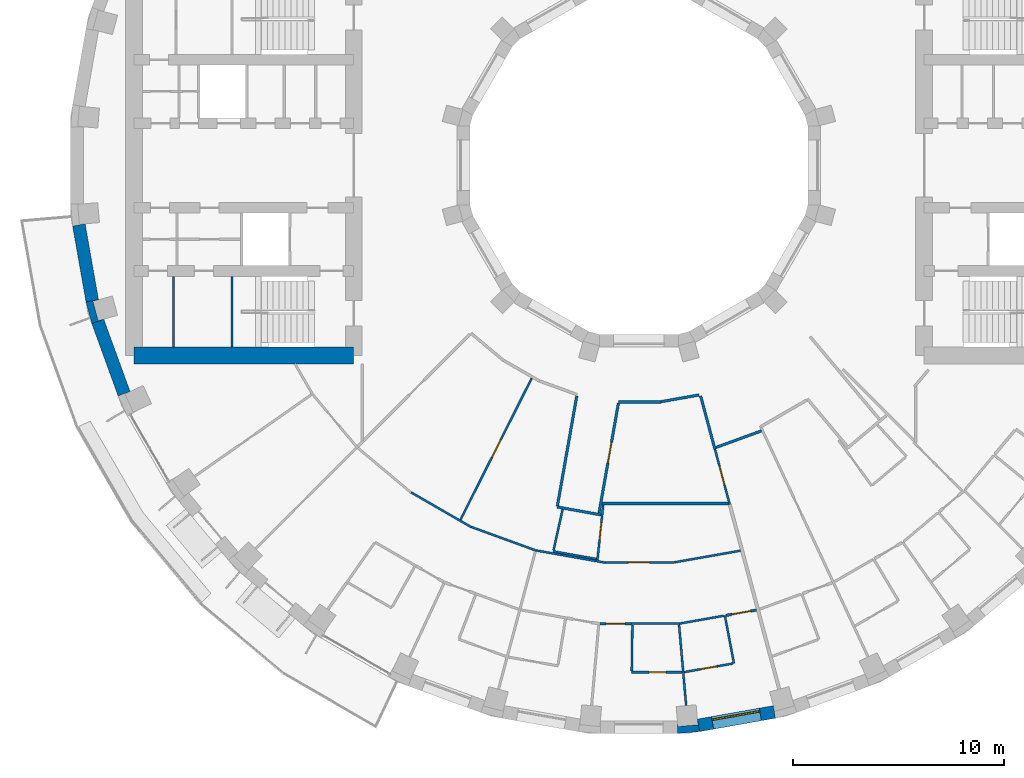
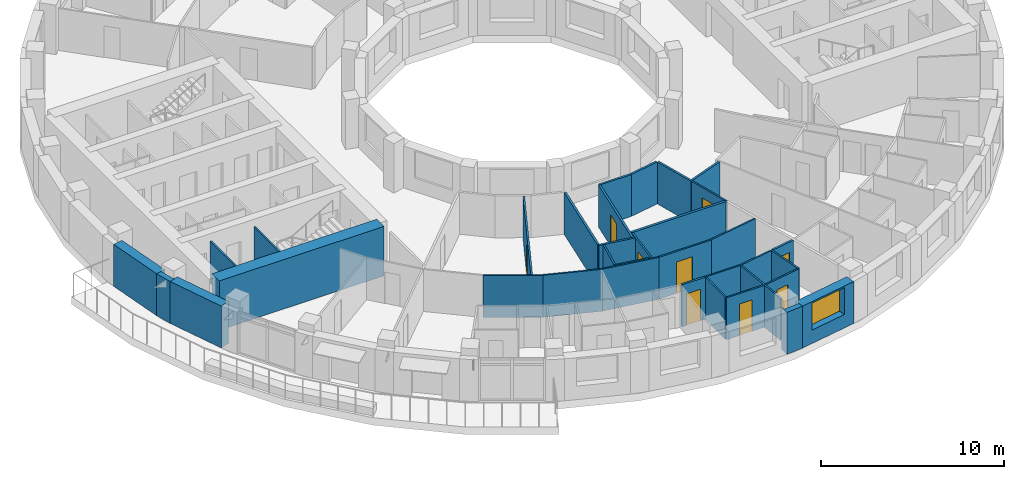
# One storey, part 5 of 16: 35 walls, 9 doors, 1 window, 10 openings.
"""IFC4 building model written with IfcOpenShell, lengths in metres."""

from ifc_helpers import new_model, si_unit, direction, frame, frame_2d, origin, place, context, subcontext, project, spatial, polyline, rectangle, outline, extrude, material, layer, layer_set, type_object, element, fill, save


model = new_model("IFC4")

# Units and contexts
model_context = context("Model", 3, precision=1e-05, world=origin(), true_north=direction((0.0, 1.0)))
body_context = subcontext(model_context, "Body", "Model", "MODEL_VIEW")
ifc_project = project(units=[si_unit("LENGTHUNIT", "METRE"), si_unit("AREAUNIT", "SQUARE_METRE"), si_unit("VOLUMEUNIT", "CUBIC_METRE"), si_unit("PLANEANGLEUNIT", "RADIAN"), si_unit("MASSUNIT", "GRAM", prefix="KILO")], contexts=[model_context])

# Site, building, storey
site_placement = place(None, origin())
site = spatial("IfcSite", under=ifc_project, at=site_placement, CompositionType="ELEMENT")
building_placement = place(site_placement, origin())
building = spatial("IfcBuilding", under=site, at=building_placement, Name="Saqina Gate Tower", CompositionType="ELEMENT")
storey_placement = place(building_placement, frame((0.0, 0.0, 124.89990234375)))
storey = spatial("IfcBuildingStorey", under=building, at=storey_placement, Name="L35", CompositionType="ELEMENT", Elevation=124.89990234375)

# Walls
ifc_material_1 = material(Name="Brick masonry (buff)", Category="masonry")
wall_type_1 = type_object("IfcWallType", Name="BRICK PIER COPING BUFF", PredefinedType="SOLIDWALL", material=ifc_material_1)
wall_1_placement = place(storey_placement, origin())
element("IfcWall", 1, at=wall_1_placement, inside=storey, type_object=wall_type_1, Name="Pier cap L35 column 20", PredefinedType="SOLIDWALL", context=body_context, shape_type="SweptSolid", body=[
    extrude(outline(polyline([(-26.171875, -6.466796875), (-25.89892578125, -7.485595703125), (-25.335205078125, -7.2802734375), (-25.5947265625, -7.349853515625), (-25.8408203125, -6.43212890625), (-25.5810546875, -6.36279296875), (-26.171875, -6.466796875)])), origin(), (0.0, 0.0, 1.0), 2.800048828125),
])
wall_2_placement = place(storey_placement, origin())
element("IfcWall", 2, at=wall_2_placement, inside=storey, type_object=wall_type_1, Name="Pier cap L35 column 28", PredefinedType="SOLIDWALL", context=body_context, shape_type="SweptSolid", body=[
    extrude(outline(polyline([(2.87451171875, -26.805419921875), (2.770263671875, -26.214599609375), (2.793701171875, -26.482421875), (1.847412109375, -26.565185546875), (1.823974609375, -26.29736328125), (1.823974609375, -26.897216796875), (2.87451171875, -26.805419921875)])), origin(), (0.0, 0.0, 1.0), 2.800048828125),
])
ifc_material_2 = material(Name="Gypsum board on steel studs", Category="steel")
ifc_layer_1 = layer(ifc_material_2, 0.10009765625)
ifc_layer_set_1 = layer_set([ifc_layer_1], Name="CORE PARTITION")
wall_type_2 = type_object("IfcWallType", Name="CORE PARTITION", PredefinedType="PARTITIONING", material=ifc_layer_set_1)
wall_3_placement = place(storey_placement, frame((-22.037109375, -8.60009765625, 0.0), z_axis=(0.0, 0.0, 1.0), x_axis=(0.0, 1.0, 0.0)))
element("IfcWall", 3, at=wall_3_placement, inside=storey, type_object=wall_type_2, Name="L35-CP-W16", PredefinedType="PARTITIONING", context=body_context, shape_type="SweptSolid", body=[
    extrude(rectangle(XDim=3.35009765625, YDim=0.10009765625, at=frame_2d((1.675048828125, 0.0))), origin(), (0.0, 0.0, 1.0), 2.800048828125),
])

# Wall, opening, window
ifc_material_3 = material(Name="Brick masonry (buff)", Category="masonry")
ifc_layer_2 = layer(ifc_material_3, 0.60009765625)
ifc_layer_set_2 = layer_set([ifc_layer_2], Name="FW-BRICK-BUFF")
wall_type_3 = type_object("IfcWallType", Name="FW-BRICK-BUFF", PredefinedType="SOLIDWALL", material=ifc_layer_set_2)
wall_4_placement = place(storey_placement, frame((2.822265625, -26.510009765625, 0.0), z_axis=(0.0, 0.0, 1.0), x_axis=(0.984803764455, 0.173670796382, 0.0)))
wall_4 = element("IfcWall", 4, at=wall_4_placement, inside=storey, type_object=wall_type_3, Name="Facade wall L35 facet 28", PredefinedType="SOLIDWALL", context=body_context, shape_type="SweptSolid", body=[
    extrude(rectangle(XDim=3.64794921875, YDim=0.60009765625, at=frame_2d((1.823974609375, 0.0))), origin(), (0.0, 0.0, 1.0), 2.800048828125),
])
opening_1_placement = place(wall_4_placement, frame((0.673828125, 0.0, 0.89990234375)))
opening_1 = element("IfcOpeningElement", 5, at=opening_1_placement, cuts=wall_4, Name="Opening G10-W17", PredefinedType="OPENING", context=body_context, shape_type="SweptSolid", body=[
    extrude(rectangle(XDim=2.300048828125, YDim=1.800048828125, at=frame_2d((1.14990234375, 0.89990234375))), frame((0.0, 0.31201171875, 0.0), z_axis=(0.0, -1.0, 0.0), x_axis=(1.0, 0.0, 0.0)), (0.0, 0.0, 1.0), 0.6240234375),
])
ifc_material_4 = material(Name="Aluminium glazing", Category="aluminium")
window_type = type_object("IfcWindowType", Name="WN-B", PartitioningType="SINGLE_PANEL", PredefinedType="WINDOW", material=ifc_material_4)
window_placement = place(opening_1_placement, origin())
window = element("IfcWindow", 6, at=window_placement, inside=storey, type_object=window_type, Name="Window L35 facet 28", OverallHeight=1.800048828125, OverallWidth=2.300048828125, PartitioningType="SINGLE_PANEL", PredefinedType="WINDOW", context=body_context, shape_type="SweptSolid", body=[
    extrude(rectangle(XDim=2.300048828125, YDim=1.800048828125, at=frame_2d((1.14990234375, 0.89990234375))), frame((0.0, 0.179931640625, 0.0), z_axis=(0.0, -1.0, 0.0), x_axis=(1.0, 0.0, 0.0)), (0.0, 0.0, 1.0), 0.06005859375),
])
fill(opening_1, window)

# Walls
ifc_material_5 = material(Name="Glazed ceramic tile", Category="ceramic")
ifc_layer_3 = layer(ifc_material_5, 0.60009765625)
ifc_layer_set_3 = layer_set([ifc_layer_3], Name="FW-TILE")
wall_type_4 = type_object("IfcWallType", Name="FW-TILE", PredefinedType="SOLIDWALL", material=ifc_layer_set_3)
wall_5_placement = place(storey_placement, frame((-25.616943359375, -7.3828125, 0.0), z_axis=(0.0, 0.0, 1.0), x_axis=(0.341990236633, -0.939703505393, 0.0)))
element("IfcWall", 7, at=wall_5_placement, inside=storey, type_object=wall_type_4, Name="Facade wall L35 facet 20", PredefinedType="SOLIDWALL", context=body_context, shape_type="SweptSolid", body=[
    extrude(rectangle(XDim=3.64794921875, YDim=0.60009765625, at=frame_2d((1.823974609375, 0.0))), origin(), (0.0, 0.0, 1.0), 2.800048828125),
])
ifc_material_6 = material(Name="Glazed ceramic tile (dark blue)", Category="ceramic")
ifc_layer_4 = layer(ifc_material_6, 0.60009765625)
ifc_layer_set_4 = layer_set([ifc_layer_4], Name="FW-TILE-CB")
wall_type_5 = type_object("IfcWallType", Name="FW-TILE-CB", PredefinedType="SOLIDWALL", material=ifc_layer_set_4)
wall_6_placement = place(storey_placement, frame((-26.510009765625, -2.822265625, 0.0), z_axis=(0.0, 0.0, 1.0), x_axis=(0.173670796382, -0.984803764455, 0.0)))
element("IfcWall", 8, at=wall_6_placement, inside=storey, type_object=wall_type_5, Name="Facade wall L35 facet 19", PredefinedType="SOLIDWALL", context=body_context, shape_type="SweptSolid", body=[
    extrude(rectangle(XDim=3.64794921875, YDim=0.60009765625, at=frame_2d((1.823974609375, 0.0))), origin(), (0.0, 0.0, 1.0), 2.800048828125),
])
ifc_material_7 = material(Name="Gypsum board on steel studs, 100 mm", Category="steel")
ifc_layer_5 = layer(ifc_material_7, 0.10009765625)
ifc_layer_set_5 = layer_set([ifc_layer_5], Name="PARTITION 100")
wall_type_6 = type_object("IfcWallType", Name="PARTITION 100", PredefinedType="PARTITIONING", material=ifc_layer_set_5)
wall_7_placement = place(storey_placement, frame((1.9013671875, -21.746826171875, 0.0), z_axis=(0.0, 0.0, 1.0), x_axis=(0.087464650473, -0.996167623906, 0.0)))
element("IfcWall", 9, at=wall_7_placement, inside=storey, type_object=wall_type_6, Name="PARTITION PW3-02", PredefinedType="PARTITIONING", context=body_context, shape_type="SweptSolid", body=[
    extrude(rectangle(XDim=3.835205078125, YDim=0.10009765625, at=frame_2d((1.91748046875, 0.0))), origin(), (0.0, 0.0, 1.0), 2.800048828125),
])
wall_8_placement = place(storey_placement, frame((4.070068359375, -21.31396484375, 0.0), z_axis=(0.0, 0.0, 1.0), x_axis=(0.187292523019, -0.982304184467, 0.0)))
element("IfcWall", 10, at=wall_8_placement, inside=storey, type_object=wall_type_6, Name="PARTITION PW3-05", PredefinedType="PARTITIONING", context=body_context, shape_type="SweptSolid", body=[
    extrude(rectangle(XDim=2.30078125, YDim=0.10009765625, at=frame_2d((1.150390625, 0.0))), origin(), (0.0, 0.0, 1.0), 2.800048828125),
])

# Wall, opening, door
wall_9_placement = place(storey_placement, frame((3.601318359375, -13.4404296875, 0.0), z_axis=(0.0, 0.0, 1.0), x_axis=(0.258787272881, -0.96593433907, 0.0)))
wall_9 = element("IfcWall", 11, at=wall_9_placement, inside=storey, type_object=wall_type_6, Name="PARTITION PW3-08", PredefinedType="PARTITIONING", context=body_context, shape_type="SweptSolid", body=[
    extrude(rectangle(XDim=2.701904296875, YDim=0.10009765625, at=frame_2d((1.35107421875, 0.0))), origin(), (0.0, 0.0, 1.0), 2.800048828125),
])
opening_2_placement = place(wall_9_placement, frame((0.84375, 0.0, 0.0)))
opening_2 = element("IfcOpeningElement", 12, at=opening_2_placement, cuts=wall_9, Name="Opening G10-D47", PredefinedType="OPENING", context=body_context, shape_type="SweptSolid", body=[
    extrude(rectangle(XDim=0.89990234375, YDim=2.10009765625, at=frame_2d((0.449951171875, 1.050048828125))), frame((0.0, 0.06201171875, 0.0), z_axis=(0.0, -1.0, 0.0), x_axis=(1.0, 0.0, 0.0)), (0.0, 0.0, 1.0), 0.1240234375),
])
ifc_material_8 = material(Name="Timber door leaf, 900 mm", Category="wood")
door_type_1 = type_object("IfcDoorType", Name="DOOR 900 TIMBER", OperationType="SINGLE_SWING_LEFT", PredefinedType="DOOR", material=ifc_material_8)
door_1_placement = place(opening_2_placement, origin())
door_1 = element("IfcDoor", 13, at=door_1_placement, inside=storey, type_object=door_type_1, Name="DOOR G10-D47", OperationType="SINGLE_SWING_LEFT", OverallHeight=2.10009765625, OverallWidth=0.89990234375, PredefinedType="DOOR", context=body_context, shape_type="SweptSolid", body=[
    extrude(rectangle(XDim=0.89990234375, YDim=2.10009765625, at=frame_2d((0.449951171875, 1.050048828125))), frame((0.0, 0.02490234375, 0.0), z_axis=(0.0, -1.0, 0.0), x_axis=(1.0, 0.0, 0.0)), (0.0, 0.0, 1.0), 0.050048828125),
])
fill(opening_2, door_1)

# Walls
wall_10_placement = place(storey_placement, frame((-10.78076171875, -15.48291015625, 0.0), z_axis=(0.0, 0.0, 1.0), x_axis=(0.865987888257, -0.500064973171, 0.0)))
element("IfcWall", 14, at=wall_10_placement, inside=storey, type_object=wall_type_6, Name="PARTITION PW3-34", PredefinedType="PARTITIONING", context=body_context, shape_type="SweptSolid", body=[
    extrude(rectangle(XDim=3.29052734375, YDim=0.10009765625, at=frame_2d((1.645263671875, 0.0))), origin(), (0.0, 0.0, 1.0), 2.800048828125),
])
wall_11_placement = place(storey_placement, frame((-7.927978515625, -17.1201171875, 0.0), z_axis=(0.0, 0.0, 1.0), x_axis=(0.93970022925, -0.34199923852, 0.0)))
element("IfcWall", 15, at=wall_11_placement, inside=storey, type_object=wall_type_6, Name="PARTITION PW3-42", PredefinedType="PARTITIONING", context=body_context, shape_type="SweptSolid", body=[
    extrude(rectangle(XDim=3.290283203125, YDim=0.10009765625, at=frame_2d((1.64501953125, 0.0))), origin(), (0.0, 0.0, 1.0), 2.800048828125),
])
wall_12_placement = place(storey_placement, frame((-4.834716796875, -18.236572265625, 0.0), z_axis=(0.0, 0.0, 1.0), x_axis=(0.984805963937, -0.173658323709, 0.0)))
element("IfcWall", 16, at=wall_12_placement, inside=storey, type_object=wall_type_6, Name="PARTITION PW3-47", PredefinedType="PARTITIONING", context=body_context, shape_type="SweptSolid", body=[
    extrude(rectangle(XDim=3.289794921875, YDim=0.10009765625, at=frame_2d((1.64501953125, 0.0))), origin(), (0.0, 0.0, 1.0), 2.800048828125),
])
wall_13_placement = place(storey_placement, frame((-4.051025390625, -18.27392578125, 0.0), z_axis=(0.0, 0.0, 1.0), x_axis=(0.984814351303, -0.17361075274, 0.0)))
element("IfcWall", 17, at=wall_13_placement, inside=storey, type_object=wall_type_6, Name="PARTITION PW3-48", PredefinedType="PARTITIONING", context=body_context, shape_type="SweptSolid", body=[
    extrude(rectangle(XDim=2.07421875, YDim=0.10009765625, at=frame_2d((1.037109375, 0.0))), origin(), (0.0, 0.0, 1.0), 2.800048828125),
])

# Wall, opening, door
wall_14_placement = place(storey_placement, frame((-0.339111328125, -23.9970703125, 0.0), z_axis=(0.0, 0.0, 1.0), x_axis=(1.0, 0.0, 0.0)))
wall_14 = element("IfcWall", 18, at=wall_14_placement, inside=storey, type_object=wall_type_6, Name="PARTITION PW3-51", PredefinedType="PARTITIONING", context=body_context, shape_type="SweptSolid", body=[
    extrude(rectangle(XDim=2.38818359375, YDim=0.10009765625, at=frame_2d((1.194091796875, 0.0))), origin(), (0.0, 0.0, 1.0), 2.800048828125),
])
opening_3_placement = place(wall_14_placement, frame((0.819091796875, 0.0, 0.0)))
opening_3 = element("IfcOpeningElement", 19, at=opening_3_placement, cuts=wall_14, Name="Opening G10-D44", PredefinedType="OPENING", context=body_context, shape_type="SweptSolid", body=[
    extrude(rectangle(XDim=0.800048828125, YDim=2.10009765625, at=frame_2d((0.39990234375, 1.050048828125))), frame((0.0, 0.06201171875, 0.0), z_axis=(0.0, -1.0, 0.0), x_axis=(1.0, 0.0, 0.0)), (0.0, 0.0, 1.0), 0.1240234375),
])
ifc_material_9 = material(Name="Timber door leaf, 800 mm", Category="wood")
door_type_2 = type_object("IfcDoorType", Name="DOOR 800 TIMBER", OperationType="SINGLE_SWING_LEFT", PredefinedType="DOOR", material=ifc_material_9)
door_2_placement = place(opening_3_placement, frame((0.800048828125, 0.0, 0.0), z_axis=(0.0, 0.0, 1.0), x_axis=(-1.0, 0.0, 0.0)))
door_2 = element("IfcDoor", 20, at=door_2_placement, inside=storey, type_object=door_type_2, Name="DOOR G10-D44", OperationType="SINGLE_SWING_LEFT", OverallHeight=2.10009765625, OverallWidth=0.800048828125, PredefinedType="DOOR", context=body_context, shape_type="SweptSolid", body=[
    extrude(rectangle(XDim=0.800048828125, YDim=2.10009765625, at=frame_2d((0.39990234375, 1.050048828125))), frame((0.0, 0.02490234375, 0.0), z_axis=(0.0, -1.0, 0.0), x_axis=(1.0, 0.0, 0.0)), (0.0, 0.0, 1.0), 0.050048828125),
])
fill(opening_3, door_2)

# Wall
wall_15_placement = place(storey_placement, frame((-0.35693359375, -21.697021484375, 0.0), z_axis=(0.0, 0.0, 1.0), x_axis=(1.0, 0.0, 0.0)))
element("IfcWall", 21, at=wall_15_placement, inside=storey, type_object=wall_type_6, Name="PARTITION PW3-52", PredefinedType="PARTITIONING", context=body_context, shape_type="SweptSolid", body=[
    extrude(rectangle(XDim=2.3056640625, YDim=0.10009765625, at=frame_2d((1.15283203125, 0.0))), origin(), (0.0, 0.0, 1.0), 2.800048828125),
])

# Wall, opening, door
wall_16_placement = place(storey_placement, frame((-1.594970703125, -18.799072265625, 0.0), z_axis=(0.0, 0.0, 1.0), x_axis=(1.0, 0.0, 0.0)))
wall_16 = element("IfcWall", 22, at=wall_16_placement, inside=storey, type_object=wall_type_6, Name="PARTITION PW3-53", PredefinedType="PARTITIONING", context=body_context, shape_type="SweptSolid", body=[
    extrude(rectangle(XDim=3.290771484375, YDim=0.10009765625, at=frame_2d((1.6455078125, 0.0))), origin(), (0.0, 0.0, 1.0), 2.800048828125),
])
opening_4_placement = place(wall_16_placement, frame((1.094970703125, 0.0, 0.0)))
opening_4 = element("IfcOpeningElement", 23, at=opening_4_placement, cuts=wall_16, Name="Opening G10-D43", PredefinedType="OPENING", context=body_context, shape_type="SweptSolid", body=[
    extrude(rectangle(XDim=1.0, YDim=2.10009765625, at=frame_2d((0.5, 1.050048828125))), frame((0.0, 0.06201171875, 0.0), z_axis=(0.0, -1.0, 0.0), x_axis=(1.0, 0.0, 0.0)), (0.0, 0.0, 1.0), 0.1240234375),
])
ifc_material_10 = material(Name="Timber door leaf, 1000 mm", Category="wood")
door_type_3 = type_object("IfcDoorType", Name="DOOR 1000 TIMBER", OperationType="SINGLE_SWING_LEFT", PredefinedType="DOOR", material=ifc_material_10)
door_3_placement = place(opening_4_placement, origin())
door_3 = element("IfcDoor", 24, at=door_3_placement, inside=storey, type_object=door_type_3, Name="DOOR G10-D43", OperationType="SINGLE_SWING_LEFT", OverallHeight=2.10009765625, OverallWidth=1.0, PredefinedType="DOOR", context=body_context, shape_type="SweptSolid", body=[
    extrude(rectangle(XDim=1.0, YDim=2.10009765625, at=frame_2d((0.5, 1.050048828125))), frame((0.0, 0.02490234375, 0.0), z_axis=(0.0, -1.0, 0.0), x_axis=(1.0, 0.0, 0.0)), (0.0, 0.0, 1.0), 0.050048828125),
])
fill(opening_4, door_3)

wall_17_placement = place(storey_placement, frame((2.148193359375, -23.98828125, 0.0), z_axis=(0.0, 0.0, 1.0), x_axis=(0.984854932485, 0.173380396699, 0.0)))
wall_17 = element("IfcWall", 25, at=wall_17_placement, inside=storey, type_object=wall_type_6, Name="PARTITION PW3-57", PredefinedType="PARTITIONING", context=body_context, shape_type="SweptSolid", body=[
    extrude(rectangle(XDim=2.3388671875, YDim=0.10009765625, at=frame_2d((1.16943359375, 0.0))), origin(), (0.0, 0.0, 1.0), 2.800048828125),
])
opening_5_placement = place(wall_17_placement, frame((0.76953125, 0.0, 0.0)))
opening_5 = element("IfcOpeningElement", 26, at=opening_5_placement, cuts=wall_17, Name="Opening G10-D45", PredefinedType="OPENING", context=body_context, shape_type="SweptSolid", body=[
    extrude(rectangle(XDim=0.800048828125, YDim=2.10009765625, at=frame_2d((0.39990234375, 1.050048828125))), frame((0.0, 0.06201171875, 0.0), z_axis=(0.0, -1.0, 0.0), x_axis=(1.0, 0.0, 0.0)), (0.0, 0.0, 1.0), 0.1240234375),
])
door_4_placement = place(opening_5_placement, frame((0.800048828125, 0.0, 0.0), z_axis=(0.0, 0.0, 1.0), x_axis=(-1.0, 0.0, 0.0)))
door_4 = element("IfcDoor", 27, at=door_4_placement, inside=storey, type_object=door_type_2, Name="DOOR G10-D45", OperationType="SINGLE_SWING_LEFT", OverallHeight=2.10009765625, OverallWidth=0.800048828125, PredefinedType="DOOR", context=body_context, shape_type="SweptSolid", body=[
    extrude(rectangle(XDim=0.800048828125, YDim=2.10009765625, at=frame_2d((0.39990234375, 1.050048828125))), frame((0.0, 0.02490234375, 0.0), z_axis=(0.0, -1.0, 0.0), x_axis=(1.0, 0.0, 0.0)), (0.0, 0.0, 1.0), 0.050048828125),
])
fill(opening_5, door_4)

# Walls
wall_18_placement = place(storey_placement, frame((1.947265625, -21.688232421875, 0.0), z_axis=(0.0, 0.0, 1.0), x_axis=(0.984818559242, 0.173586881336, 0.0)))
element("IfcWall", 28, at=wall_18_placement, inside=storey, type_object=wall_type_6, Name="PARTITION PW3-58", PredefinedType="PARTITIONING", context=body_context, shape_type="SweptSolid", body=[
    extrude(rectangle(XDim=2.10546875, YDim=0.10009765625, at=frame_2d((1.052734375, 0.0))), origin(), (0.0, 0.0, 1.0), 2.800048828125),
])
wall_19_placement = place(storey_placement, frame((1.6943359375, -18.790283203125, 0.0), z_axis=(0.0, 0.0, 1.0), x_axis=(0.984811512808, 0.173626853457, 0.0)))
element("IfcWall", 29, at=wall_19_placement, inside=storey, type_object=wall_type_6, Name="PARTITION PW3-59", PredefinedType="PARTITIONING", context=body_context, shape_type="SweptSolid", body=[
    extrude(rectangle(XDim=3.163818359375, YDim=0.10009765625, at=frame_2d((1.58203125, 0.0))), origin(), (0.0, 0.0, 1.0), 2.800048828125),
])

# Wall, opening, door
wall_20_placement = place(storey_placement, frame((-8.444580078125, -16.774169921875, 0.0), z_axis=(0.0, 0.0, 1.0), x_axis=(0.449712057194, 0.893173592094, 0.0)))
wall_20 = element("IfcWall", 30, at=wall_20_placement, inside=storey, type_object=wall_type_6, Name="PARTITION PW3-96", PredefinedType="PARTITIONING", context=body_context, shape_type="SweptSolid", body=[
    extrude(rectangle(XDim=7.499267578125, YDim=0.10009765625, at=frame_2d((3.74951171875, 0.0))), origin(), (0.0, 0.0, 1.0), 2.800048828125),
])
opening_6_placement = place(wall_20_placement, frame((3.30712890625, 0.0, 0.0)))
opening_6 = element("IfcOpeningElement", 31, at=opening_6_placement, cuts=wall_20, Name="Opening G10-D35", PredefinedType="OPENING", context=body_context, shape_type="SweptSolid", body=[
    extrude(rectangle(XDim=0.89990234375, YDim=2.10009765625, at=frame_2d((0.449951171875, 1.050048828125))), frame((0.0, 0.06201171875, 0.0), z_axis=(0.0, -1.0, 0.0), x_axis=(1.0, 0.0, 0.0)), (0.0, 0.0, 1.0), 0.1240234375),
])
door_5_placement = place(opening_6_placement, frame((0.89990234375, 0.0, 0.0), z_axis=(0.0, 0.0, 1.0), x_axis=(-1.0, 0.0, 0.0)))
door_5 = element("IfcDoor", 32, at=door_5_placement, inside=storey, type_object=door_type_1, Name="DOOR G10-D35", OperationType="SINGLE_SWING_LEFT", OverallHeight=2.10009765625, OverallWidth=0.89990234375, PredefinedType="DOOR", context=body_context, shape_type="SweptSolid", body=[
    extrude(rectangle(XDim=0.89990234375, YDim=2.10009765625, at=frame_2d((0.449951171875, 1.050048828125))), frame((0.0, 0.02490234375, 0.0), z_axis=(0.0, -1.0, 0.0), x_axis=(1.0, 0.0, 0.0)), (0.0, 0.0, 1.0), 0.050048828125),
])
fill(opening_6, door_5)

# Wall
wall_21_placement = place(storey_placement, frame((-4.0400390625, -18.22412109375, 0.0), z_axis=(0.0, 0.0, 1.0), x_axis=(0.216475396049, 0.976288073729, 0.0)))
element("IfcWall", 33, at=wall_21_placement, inside=storey, type_object=wall_type_6, Name="PARTITION PW3-103", PredefinedType="PARTITIONING", context=body_context, shape_type="SweptSolid", body=[
    extrude(rectangle(XDim=1.98828125, YDim=0.10009765625, at=frame_2d((0.994140625, 0.0))), origin(), (0.0, 0.0, 1.0), 2.800048828125),
])

# Wall, opening, door
wall_22_placement = place(storey_placement, frame((-1.963134765625, -18.692138671875, 0.0), z_axis=(0.0, 0.0, 1.0), x_axis=(0.10462196357, 0.994512063647, 0.0)))
wall_22 = element("IfcWall", 34, at=wall_22_placement, inside=storey, type_object=wall_type_6, Name="PARTITION PW3-106", PredefinedType="PARTITIONING", context=body_context, shape_type="SweptSolid", body=[
    extrude(rectangle(XDim=2.6298828125, YDim=0.10009765625, at=frame_2d((1.31494140625, 0.0))), origin(), (0.0, 0.0, 1.0), 2.800048828125),
])
opening_7_placement = place(wall_22_placement, frame((0.978759765625, 0.0, 0.0)))
opening_7 = element("IfcOpeningElement", 35, at=opening_7_placement, cuts=wall_22, Name="Opening G10-D40", PredefinedType="OPENING", context=body_context, shape_type="SweptSolid", body=[
    extrude(rectangle(XDim=0.800048828125, YDim=2.10009765625, at=frame_2d((0.39990234375, 1.050048828125))), frame((0.0, 0.06201171875, 0.0), z_axis=(0.0, -1.0, 0.0), x_axis=(1.0, 0.0, 0.0)), (0.0, 0.0, 1.0), 0.1240234375),
])
door_6_placement = place(opening_7_placement, frame((0.800048828125, 0.0, 0.0), z_axis=(0.0, 0.0, 1.0), x_axis=(-1.0, 0.0, 0.0)))
door_6 = element("IfcDoor", 36, at=door_6_placement, inside=storey, type_object=door_type_2, Name="DOOR G10-D40", OperationType="SINGLE_SWING_LEFT", OverallHeight=2.10009765625, OverallWidth=0.800048828125, PredefinedType="DOOR", context=body_context, shape_type="SweptSolid", body=[
    extrude(rectangle(XDim=0.800048828125, YDim=2.10009765625, at=frame_2d((0.39990234375, 1.050048828125))), frame((0.0, 0.02490234375, 0.0), z_axis=(0.0, -1.0, 0.0), x_axis=(1.0, 0.0, 0.0)), (0.0, 0.0, 1.0), 0.050048828125),
])
fill(opening_7, door_6)

# Walls
wall_23_placement = place(storey_placement, frame((-0.33837890625, -23.947021484375, 0.0), z_axis=(0.0, 0.0, 1.0), x_axis=(0.013949535442, 0.999902700497, 0.0)))
element("IfcWall", 37, at=wall_23_placement, inside=storey, type_object=wall_type_6, Name="PARTITION PW3-108", PredefinedType="PARTITIONING", context=body_context, shape_type="SweptSolid", body=[
    extrude(rectangle(XDim=2.187744140625, YDim=0.10009765625, at=frame_2d((1.09375, 0.0))), origin(), (0.0, 0.0, 1.0), 2.800048828125),
])
ifc_material_11 = material(Name="Gypsum board on steel studs, 125 mm, fire rated", Category="steel")
ifc_layer_6 = layer(ifc_material_11, 0.125)
ifc_layer_set_6 = layer_set([ifc_layer_6], Name="PARTITION EI 30 125")
wall_type_7 = type_object("IfcWallType", Name="PARTITION EI 30 125", PredefinedType="PARTITIONING", material=ifc_layer_set_6)
wall_24_placement = place(storey_placement, frame((2.923095703125, -10.9189453125, 0.0), z_axis=(0.0, 0.0, 1.0), x_axis=(0.259285993545, -0.965800586846, 0.0)))
element("IfcWall", 38, at=wall_24_placement, inside=storey, type_object=wall_type_7, Name="PARTITION PW1-03", PredefinedType="PARTITIONING", context=body_context, shape_type="SweptSolid", body=[
    extrude(rectangle(XDim=2.611083984375, YDim=0.125, at=frame_2d((1.3056640625, 0.0))), origin(), (0.0, 0.0, 1.0), 2.800048828125),
])
wall_25_placement = place(storey_placement, frame((-3.866943359375, -16.173583984375, 0.0), z_axis=(0.0, 0.0, 1.0), x_axis=(0.984325266117, -0.176362610789, 0.0)))
element("IfcWall", 39, at=wall_25_placement, inside=storey, type_object=wall_type_7, Name="PARTITION PW1-23", PredefinedType="PARTITIONING", context=body_context, shape_type="SweptSolid", body=[
    extrude(rectangle(XDim=2.112548828125, YDim=0.125, at=frame_2d((1.05615234375, 0.0))), origin(), (0.0, 0.0, 1.0), 2.800048828125),
])

# Wall, opening, door
wall_26_placement = place(storey_placement, frame((-1.83544921875, -21.697021484375, 0.0), z_axis=(0.0, 0.0, 1.0), x_axis=(1.0, 0.0, 0.0)))
wall_26 = element("IfcWall", 40, at=wall_26_placement, inside=storey, type_object=wall_type_7, Name="PARTITION PW1-27", PredefinedType="PARTITIONING", context=body_context, shape_type="SweptSolid", body=[
    extrude(rectangle(XDim=1.478515625, YDim=0.125, at=frame_2d((0.7392578125, 0.0))), origin(), (0.0, 0.0, 1.0), 2.800048828125),
])
opening_8_placement = place(wall_26_placement, frame((0.282958984375, 0.0, 0.0)))
opening_8 = element("IfcOpeningElement", 41, at=opening_8_placement, cuts=wall_26, Name="Opening G10-D42", PredefinedType="OPENING", context=body_context, shape_type="SweptSolid", body=[
    extrude(rectangle(XDim=0.89990234375, YDim=2.10009765625, at=frame_2d((0.449951171875, 1.050048828125))), frame((0.0, 0.074462890625, 0.0), z_axis=(0.0, -1.0, 0.0), x_axis=(1.0, 0.0, 0.0)), (0.0, 0.0, 1.0), 0.14892578125),
])
ifc_material_12 = material(Name="Fire door leaf EI 30, 900 mm")
door_type_4 = type_object("IfcDoorType", Name="DOOR 900 EI 30", OperationType="SINGLE_SWING_LEFT", PredefinedType="DOOR", material=ifc_material_12)
door_7_placement = place(opening_8_placement, origin())
door_7 = element("IfcDoor", 42, at=door_7_placement, inside=storey, type_object=door_type_4, Name="DOOR G10-D42", OperationType="SINGLE_SWING_LEFT", OverallHeight=2.10009765625, OverallWidth=0.89990234375, PredefinedType="DOOR", context=body_context, shape_type="SweptSolid", body=[
    extrude(rectangle(XDim=0.89990234375, YDim=2.10009765625, at=frame_2d((0.449951171875, 1.050048828125))), frame((0.0, 0.02490234375, 0.0), z_axis=(0.0, -1.0, 0.0), x_axis=(1.0, 0.0, 0.0)), (0.0, 0.0, 1.0), 0.050048828125),
])
fill(opening_8, door_7)

# Wall
wall_27_placement = place(storey_placement, frame((-0.958984375, -11.199951171875, 0.0), z_axis=(0.0, 0.0, 1.0), x_axis=(1.0, 0.0, 0.0)))
element("IfcWall", 43, at=wall_27_placement, inside=storey, type_object=wall_type_7, Name="PARTITION PW1-28", PredefinedType="PARTITIONING", context=body_context, shape_type="SweptSolid", body=[
    extrude(rectangle(XDim=2.00244140625, YDim=0.125, at=frame_2d((1.001220703125, 0.0))), origin(), (0.0, 0.0, 1.0), 2.800048828125),
])

# Wall, opening, door
wall_28_placement = place(storey_placement, frame((4.119140625, -21.305419921875, 0.0), z_axis=(0.0, 0.0, 1.0), x_axis=(0.984835475574, 0.17349088175, 0.0)))
wall_28 = element("IfcWall", 44, at=wall_28_placement, inside=storey, type_object=wall_type_7, Name="PARTITION PW1-31", PredefinedType="PARTITIONING", context=body_context, shape_type="SweptSolid", body=[
    extrude(rectangle(XDim=1.46630859375, YDim=0.125, at=frame_2d((0.733154296875, 0.0))), origin(), (0.0, 0.0, 1.0), 2.800048828125),
])
opening_9_placement = place(wall_28_placement, frame((0.295166015625, 0.0, 0.0)))
opening_9 = element("IfcOpeningElement", 45, at=opening_9_placement, cuts=wall_28, Name="Opening G10-D46", PredefinedType="OPENING", context=body_context, shape_type="SweptSolid", body=[
    extrude(rectangle(XDim=0.89990234375, YDim=2.10009765625, at=frame_2d((0.449951171875, 1.050048828125))), frame((0.0, 0.074462890625, 0.0), z_axis=(0.0, -1.0, 0.0), x_axis=(1.0, 0.0, 0.0)), (0.0, 0.0, 1.0), 0.14892578125),
])
door_8_placement = place(opening_9_placement, origin())
door_8 = element("IfcDoor", 46, at=door_8_placement, inside=storey, type_object=door_type_4, Name="DOOR G10-D46", OperationType="SINGLE_SWING_RIGHT", OverallHeight=2.10009765625, OverallWidth=0.89990234375, PredefinedType="DOOR", context=body_context, shape_type="SweptSolid", body=[
    extrude(rectangle(XDim=0.89990234375, YDim=2.10009765625, at=frame_2d((0.449951171875, 1.050048828125))), frame((0.0, 0.02490234375, 0.0), z_axis=(0.0, -1.0, 0.0), x_axis=(1.0, 0.0, 0.0)), (0.0, 0.0, 1.0), 0.050048828125),
])
fill(opening_9, door_8)

# Walls
wall_29_placement = place(storey_placement, frame((1.04150390625, -11.189208984375, 0.0), z_axis=(0.0, 0.0, 1.0), x_axis=(0.984772836403, 0.173846083312, 0.0)))
element("IfcWall", 47, at=wall_29_placement, inside=storey, type_object=wall_type_7, Name="PARTITION PW1-32", PredefinedType="PARTITIONING", context=body_context, shape_type="SweptSolid", body=[
    extrude(rectangle(XDim=1.833984375, YDim=0.125, at=frame_2d((0.9169921875, 0.0))), origin(), (0.0, 0.0, 1.0), 2.800048828125),
])
wall_30_placement = place(storey_placement, frame((3.643798828125, -13.356689453125, 0.0), z_axis=(0.0, 0.0, 1.0), x_axis=(0.939554653217, 0.342398968484, 0.0)))
element("IfcWall", 48, at=wall_30_placement, inside=storey, type_object=wall_type_7, Name="PARTITION PW1-36", PredefinedType="PARTITIONING", context=body_context, shape_type="SweptSolid", body=[
    extrude(rectangle(XDim=2.301025390625, YDim=0.125, at=frame_2d((1.150390625, 0.0))), origin(), (0.0, 0.0, 1.0), 2.800048828125),
])

# Wall, opening, door
wall_31_placement = place(storey_placement, frame((-1.88720703125, -16.45947265625, 0.0), z_axis=(0.0, 0.0, 1.0), x_axis=(0.173774779386, 0.984785421322, 0.0)))
wall_31 = element("IfcWall", 49, at=wall_31_placement, inside=storey, type_object=wall_type_7, Name="PARTITION PW1-56", PredefinedType="PARTITIONING", context=body_context, shape_type="SweptSolid", body=[
    extrude(rectangle(XDim=5.2783203125, YDim=0.125, at=frame_2d((2.63916015625, 0.0))), origin(), (0.0, 0.0, 1.0), 2.800048828125),
])
opening_10_placement = place(wall_31_placement, frame((2.40380859375, 0.0, 0.0)))
opening_10 = element("IfcOpeningElement", 50, at=opening_10_placement, cuts=wall_31, Name="Opening G10-D41", PredefinedType="OPENING", context=body_context, shape_type="SweptSolid", body=[
    extrude(rectangle(XDim=1.0, YDim=2.10009765625, at=frame_2d((0.5, 1.050048828125))), frame((0.0, 0.074462890625, 0.0), z_axis=(0.0, -1.0, 0.0), x_axis=(1.0, 0.0, 0.0)), (0.0, 0.0, 1.0), 0.14892578125),
])
ifc_material_13 = material(Name="Fire door leaf EI 30, 1000 mm")
door_type_5 = type_object("IfcDoorType", Name="DOOR 1000 EI 30", OperationType="SINGLE_SWING_LEFT", PredefinedType="DOOR", material=ifc_material_13)
door_9_placement = place(opening_10_placement, frame((1.0, 0.0, 0.0), z_axis=(0.0, 0.0, 1.0), x_axis=(-1.0, 0.0, 0.0)))
door_9 = element("IfcDoor", 51, at=door_9_placement, inside=storey, type_object=door_type_5, Name="DOOR G10-D41", OperationType="SINGLE_SWING_LEFT", OverallHeight=2.10009765625, OverallWidth=1.0, PredefinedType="DOOR", context=body_context, shape_type="SweptSolid", body=[
    extrude(rectangle(XDim=1.0, YDim=2.10009765625, at=frame_2d((0.5, 1.050048828125))), frame((0.0, 0.02490234375, 0.0), z_axis=(0.0, -1.0, 0.0), x_axis=(1.0, 0.0, 0.0)), (0.0, 0.0, 1.0), 0.050048828125),
])
fill(opening_10, door_9)

# Walls
wall_32_placement = place(storey_placement, frame((-3.859130859375, -16.129150390625, 0.0), z_axis=(0.0, 0.0, 1.0), x_axis=(0.173619599217, 0.984812791736, 0.0)))
element("IfcWall", 52, at=wall_32_placement, inside=storey, type_object=wall_type_7, Name="PARTITION PW1-57", PredefinedType="PARTITIONING", context=body_context, shape_type="SweptSolid", body=[
    extrude(rectangle(XDim=5.294189453125, YDim=0.125, at=frame_2d((2.64697265625, 0.0))), origin(), (0.0, 0.0, 1.0), 2.800048828125),
])
ifc_material_14 = material(Name="Gypsum board on steel studs, 150 mm, fire rated", Category="steel")
ifc_layer_7 = layer(ifc_material_14, 0.14990234375)
ifc_layer_set_7 = layer_set([ifc_layer_7], Name="PARTITION EI 60 150")
wall_type_8 = type_object("IfcWallType", Name="PARTITION EI 60 150", PredefinedType="PARTITIONING", material=ifc_layer_set_7)
wall_33_placement = place(storey_placement, frame((-1.743408203125, -16.0, 0.0), z_axis=(0.0, 0.0, 1.0), x_axis=(1.0, 0.0, 0.0)))
element("IfcWall", 53, at=wall_33_placement, inside=storey, type_object=wall_type_8, Name="PARTITION PW2-02", PredefinedType="PARTITIONING", context=body_context, shape_type="SweptSolid", body=[
    extrude(rectangle(XDim=5.98046875, YDim=0.14990234375, at=frame_2d((2.990234375, 0.0))), origin(), (0.0, 0.0, 1.0), 2.800048828125),
])
ifc_material_15 = material(Name="Autoclaved aerated concrete block", Category="concrete")
ifc_layer_8 = layer(ifc_material_15, 0.10009765625)
ifc_layer_set_8 = layer_set([ifc_layer_8], Name="STAIR ENCLOSURE WALL")
wall_type_9 = type_object("IfcWallType", Name="STAIR ENCLOSURE WALL", PredefinedType="PARTITIONING", material=ifc_layer_set_8)
wall_34_placement = place(storey_placement, frame((-19.27001953125, -8.60009765625, 0.0), z_axis=(0.0, 0.0, 1.0), x_axis=(0.0, 1.0, 0.0)))
element("IfcWall", 54, at=wall_34_placement, inside=storey, type_object=wall_type_9, Name="L35-CP-W15", PredefinedType="PARTITIONING", context=body_context, shape_type="SweptSolid", body=[
    extrude(rectangle(XDim=3.35009765625, YDim=0.10009765625, at=frame_2d((1.675048828125, 0.0))), origin(), (0.0, 0.0, 1.0), 2.800048828125),
])
ifc_material_16 = material(Name="Concrete C70/85", Category="concrete")
ifc_layer_9 = layer(ifc_material_16, 0.800048828125)
ifc_layer_set_9 = layer_set([ifc_layer_9], Name="Concrete C70/85")
wall_type_10 = type_object("IfcWallType", Name="STR-CORE WALL-B-O", PredefinedType="SHEAR", material=ifc_layer_set_9)
wall_35_placement = place(storey_placement, frame((-13.5, -9.0, 0.0), z_axis=(0.0, 0.0, 1.0), x_axis=(-1.0, 0.0, 0.0)))
element("IfcWall", 55, at=wall_35_placement, inside=storey, type_object=wall_type_10, Name="CORE WALL L35 W-SE", PredefinedType="SHEAR", context=body_context, shape_type="SweptSolid", body=[
    extrude(rectangle(XDim=10.39990234375, YDim=0.800048828125, at=frame_2d((5.199951171875, 0.0))), origin(), (0.0, 0.0, 1.0), 3.300048828125),
])

save(model, "model.ifc")
